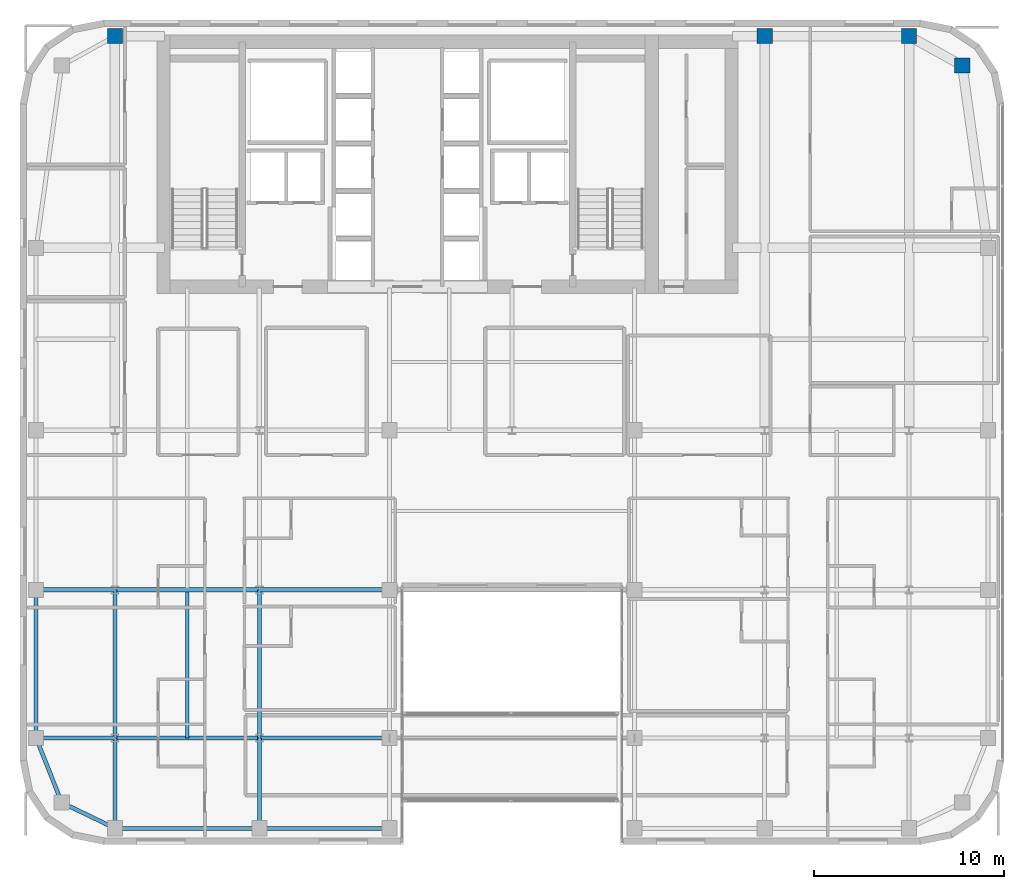
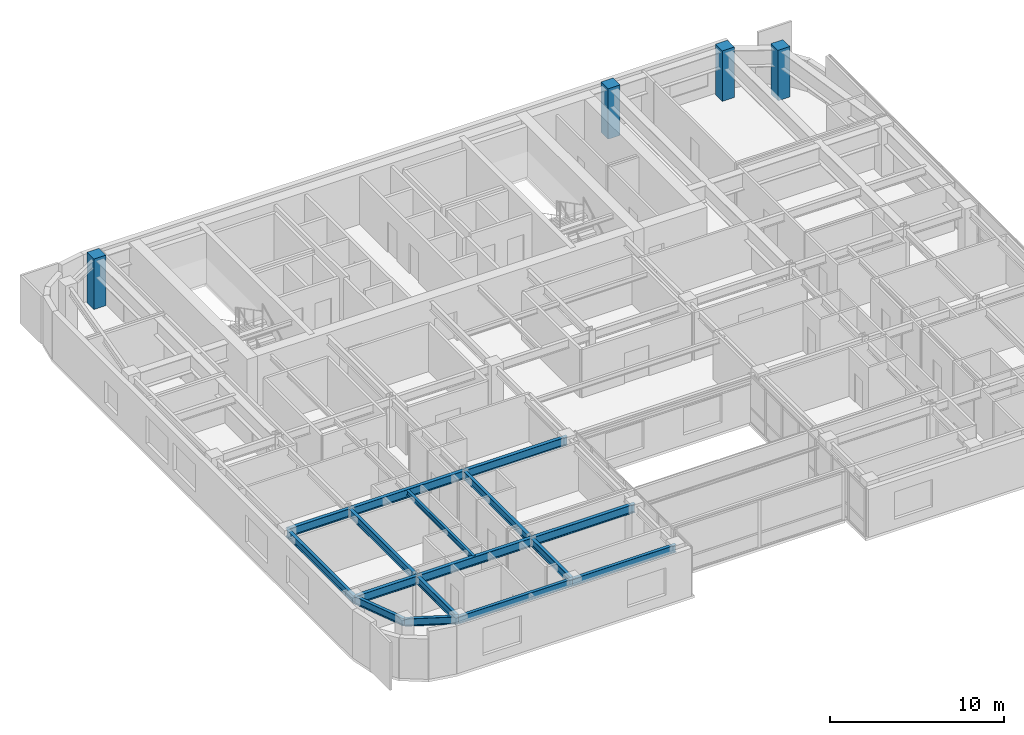
# One storey, part 2 of 20: 16 beams, 4 columns.
"""IFC4 building model written with IfcOpenShell, lengths in metres."""

from ifc_helpers import new_model, si_unit, direction, frame, origin, origin_2d, place, context, subcontext, project, spatial, rectangle, i_section, extrude, source, transform, mapped, material, material_profile, profile_set, type_object, type_shapes, element, save


model = new_model("IFC4")

# Units and contexts
model_context = context("Model", 3, precision=1e-05, world=origin(), true_north=direction((0.0, 1.0)))
body_context = subcontext(model_context, "Body", "Model", "MODEL_VIEW")
ifc_project = project(units=[si_unit("LENGTHUNIT", "METRE"), si_unit("AREAUNIT", "SQUARE_METRE"), si_unit("VOLUMEUNIT", "CUBIC_METRE"), si_unit("PLANEANGLEUNIT", "RADIAN"), si_unit("MASSUNIT", "GRAM", prefix="KILO")], contexts=[model_context])

# Site, building, storey
site_placement = place(None, origin())
site = spatial("IfcSite", under=ifc_project, at=site_placement, CompositionType="ELEMENT")
building_placement = place(site_placement, origin())
building = spatial("IfcBuilding", under=site, at=building_placement, Name="Tolvann Quenvar Hotel", CompositionType="ELEMENT")
storey_placement = place(building_placement, frame((0.0, 0.0, 171.89990234375)))
storey = spatial("IfcBuildingStorey", under=building, at=storey_placement, Name="L45", CompositionType="ELEMENT", Elevation=171.89990234375)

# Columns
ifc_material_1 = material(Name="Concrete N50 (50 MPa)", Category="concrete")
ifc_material_profile_1 = material_profile(ifc_material_1, rectangle(XDim=0.800048828125, YDim=0.800048828125, at=origin_2d()), Name="RC800x800")
ifc_profile_set_1 = profile_set([ifc_material_profile_1], Name="Concrete N50 (50 MPa)")
column_type = type_object("IfcColumnType", Name="COL_RC800", PredefinedType="COLUMN", material=ifc_profile_set_1)
shared_shape_1 = source(origin(), body_context, "Body", "SweptSolid", [
    extrude(rectangle(XDim=0.800048828125, YDim=0.800048828125, at=origin_2d()), origin(), (0.0, 0.0, 1.0), 3.550048828125),
])
type_shapes(column_type, [shared_shape_1])
for number, where, z_axis, x_axis, name in (
    (1, (7.60009765625, 45.14990234375, 0.0), (0.0, 0.0, 1.0), (1.0, 0.0, 0.0), "Column CN (L45)"),
    (2, (41.800048828125, 45.14990234375, 0.0), (0.0, 0.0, 1.0), (1.0, 0.0, 0.0), "Column HN (L45)"),
    (3, (49.39990234375, 45.14990234375, 0.0), (0.0, 0.0, 1.0), (1.0, 0.0, 0.0), "Column IN (L45)"),
    (4, (52.199951171875, 43.60009765625, 0.0), (0.0, 0.0, 1.0), (1.0, 0.0, 0.0), "Column JN (L45)"),
):
    element("IfcColumn", number, at=place(storey_placement, frame(where, z_axis=z_axis, x_axis=x_axis)), inside=storey, type_object=column_type, Name=name, PredefinedType="COLUMN", context=body_context, shape_type="MappedRepresentation", body=[
        mapped(shared_shape_1, transform((0.0, 0.0, 0.0), x_axis=(1.0, 0.0, 0.0), y_axis=(0.0, 1.0, 0.0), z_axis=(0.0, 0.0, 1.0), scale=1.0)),
    ])

# Beams
ifc_material_2 = material(Name="Steel Grade 350", Category="steel")
ifc_material_profile_2 = material_profile(ifc_material_2, i_section(OverallWidth=0.208984375, OverallDepth=0.528076171875, WebThickness=0.009521484375, FlangeThickness=0.01318359375, FilletRadius=0.013916015625, at=origin_2d()), Name="530UB82")
ifc_profile_set_2 = profile_set([ifc_material_profile_2], Name="Steel Grade 350")
beam_type_1 = type_object("IfcBeamType", Name="BM_SPAND_530UB82", PredefinedType="SPANDREL", material=ifc_profile_set_2)
shared_shape_2 = source(origin(), body_context, "Body", "SweptSolid", [
    extrude(i_section(OverallWidth=0.208984375, OverallDepth=0.528076171875, WebThickness=0.009521484375, FlangeThickness=0.01318359375, FilletRadius=0.013916015625, at=origin_2d()), origin(), (0.0, 0.0, 1.0), 7.599853515625),
])
beam_1_placement = place(storey_placement, frame((7.60009765625, 3.449951171875, 3.106201171875), z_axis=(1.0, 0.0, 0.0), x_axis=(0.0, 1.0, 0.0)))
element("IfcBeam", 5, at=beam_1_placement, inside=storey, type_object=beam_type_1, Name="BM-L45-EW-2-C2-D2", PredefinedType="SPANDREL", context=body_context, shape_type="MappedRepresentation", body=[
    mapped(shared_shape_2, transform((0.0, 0.0, 0.0), x_axis=(1.0, 0.0, 0.0), y_axis=(0.0, 1.0, 0.0), z_axis=(0.0, 0.0, 1.0), scale=1.0)),
])
shared_shape_3 = source(origin(), body_context, "Body", "SweptSolid", [
    extrude(i_section(OverallWidth=0.208984375, OverallDepth=0.528076171875, WebThickness=0.009521484375, FlangeThickness=0.01318359375, FilletRadius=0.013916015625, at=origin_2d()), origin(), (0.0, 0.0, 1.0), 6.85009765625),
])
beam_2_placement = place(storey_placement, frame((15.199951171875, 3.449951171875, 3.106201171875), z_axis=(1.0, 0.0, 0.0), x_axis=(0.0, 1.0, 0.0)))
element("IfcBeam", 6, at=beam_2_placement, inside=storey, type_object=beam_type_1, Name="BM-L45-EW-2-D2-E2", PredefinedType="SPANDREL", context=body_context, shape_type="MappedRepresentation", body=[
    mapped(shared_shape_3, transform((0.0, 0.0, 0.0), x_axis=(1.0, 0.0, 0.0), y_axis=(0.0, 1.0, 0.0), z_axis=(0.0, 0.0, 1.0), scale=1.0)),
])
shared_shape_4 = source(origin(), body_context, "Body", "SweptSolid", [
    extrude(i_section(OverallWidth=0.208984375, OverallDepth=0.528076171875, WebThickness=0.009521484375, FlangeThickness=0.01318359375, FilletRadius=0.013916015625, at=origin_2d()), origin(), (0.0, 0.0, 1.0), 7.800048828125),
])
beam_3_placement = place(storey_placement, frame((3.449951171875, 8.199951171875, 3.106201171875), z_axis=(0.0, 1.0, 0.0), x_axis=(-1.0, 0.0, 0.0)))
element("IfcBeam", 7, at=beam_3_placement, inside=storey, type_object=beam_type_1, Name="BM-L45-NS-B3-B4", PredefinedType="SPANDREL", context=body_context, shape_type="MappedRepresentation", body=[
    mapped(shared_shape_4, transform((0.0, 0.0, 0.0), x_axis=(1.0, 0.0, 0.0), y_axis=(0.0, 1.0, 0.0), z_axis=(0.0, 0.0, 1.0), scale=1.0)),
])
ifc_material_profile_3 = material_profile(ifc_material_2, i_section(OverallWidth=0.208984375, OverallDepth=0.532958984375, WebThickness=0.01025390625, FlangeThickness=0.015625, FilletRadius=0.013916015625, at=origin_2d()), Name="530UB92")
ifc_profile_set_3 = profile_set([ifc_material_profile_3], Name="Steel Grade 350")
beam_type_2 = type_object("IfcBeamType", Name="BM_GIRD_530UB92", PredefinedType="BEAM", material=ifc_profile_set_3)
shared_shape_5 = source(origin(), body_context, "Body", "SweptSolid", [
    extrude(i_section(OverallWidth=0.208984375, OverallDepth=0.532958984375, WebThickness=0.01025390625, FlangeThickness=0.015625, FilletRadius=0.013916015625, at=origin_2d()), origin(), (0.0, 0.0, 1.0), 7.800048828125),
])
for number, where, z_axis, x_axis, name in (
    (8, (7.60009765625, 8.199951171875, 3.103515625), (0.0, 1.0, 0.0), (-1.0, 0.0, 0.0), "BM-L45-NS-C3-C4"),
    (9, (15.199951171875, 8.199951171875, 3.103515625), (0.0, 1.0, 0.0), (-1.0, 0.0, 0.0), "BM-L45-NS-D3-D4"),
):
    element("IfcBeam", number, at=place(storey_placement, frame(where, z_axis=z_axis, x_axis=x_axis)), inside=storey, type_object=beam_type_2, Name=name, PredefinedType="BEAM", context=body_context, shape_type="MappedRepresentation", body=[
        mapped(shared_shape_5, transform((0.0, 0.0, 0.0), x_axis=(1.0, 0.0, 0.0), y_axis=(0.0, 1.0, 0.0), z_axis=(0.0, 0.0, 1.0), scale=1.0)),
    ])
shared_shape_6 = source(origin(), body_context, "Body", "SweptSolid", [
    extrude(i_section(OverallWidth=0.208984375, OverallDepth=0.528076171875, WebThickness=0.009521484375, FlangeThickness=0.01318359375, FilletRadius=0.013916015625, at=origin_2d()), origin(), (0.0, 0.0, 1.0), 3.108642578125),
])
beam_4_placement = place(storey_placement, frame((4.800048828125, 4.800048828125, 3.106201171875), z_axis=(0.900759354066, -0.434318530646, 0.0), x_axis=(0.434318530646, 0.900759354066, 0.0)))
element("IfcBeam", 10, at=beam_4_placement, inside=storey, type_object=beam_type_1, Name="BM-L45-EW-2-B2-C2", PredefinedType="SPANDREL", context=body_context, shape_type="MappedRepresentation", body=[
    mapped(shared_shape_6, transform((0.0, 0.0, 0.0), x_axis=(1.0, 0.0, 0.0), y_axis=(0.0, 1.0, 0.0), z_axis=(0.0, 0.0, 1.0), scale=1.0)),
])
ifc_material_profile_4 = material_profile(ifc_material_2, i_section(OverallWidth=0.22802734375, OverallDepth=0.60205078125, WebThickness=0.010498046875, FlangeThickness=0.014892578125, FilletRadius=0.013916015625, at=origin_2d()), Name="610UB101")
ifc_profile_set_4 = profile_set([ifc_material_profile_4], Name="Steel Grade 350")
beam_type_3 = type_object("IfcBeamType", Name="BM_GIRD_610UB101", PredefinedType="BEAM", material=ifc_profile_set_4)
shared_shape_7 = source(origin(), body_context, "Body", "SweptSolid", [
    extrude(i_section(OverallWidth=0.22802734375, OverallDepth=0.60205078125, WebThickness=0.010498046875, FlangeThickness=0.014892578125, FilletRadius=0.013916015625, at=origin_2d()), origin(), (0.0, 0.0, 1.0), 4.150146484375),
])
for number, where, z_axis, x_axis, name in (
    (11, (3.449951171875, 8.199951171875, 3.069091796875), (1.0, 0.0, 0.0), (0.0, 1.0, 0.0), "BM-L45-EW-3-B3-C3"),
    (12, (3.449951171875, 16.0, 3.069091796875), (1.0, 0.0, 0.0), (0.0, 1.0, 0.0), "BM-L45-EW-4-B4-C4"),
):
    element("IfcBeam", number, at=place(storey_placement, frame(where, z_axis=z_axis, x_axis=x_axis)), inside=storey, type_object=beam_type_3, Name=name, PredefinedType="BEAM", context=body_context, shape_type="MappedRepresentation", body=[
        mapped(shared_shape_7, transform((0.0, 0.0, 0.0), x_axis=(1.0, 0.0, 0.0), y_axis=(0.0, 1.0, 0.0), z_axis=(0.0, 0.0, 1.0), scale=1.0)),
    ])
shared_shape_8 = source(origin(), body_context, "Body", "SweptSolid", [
    extrude(i_section(OverallWidth=0.22802734375, OverallDepth=0.60205078125, WebThickness=0.010498046875, FlangeThickness=0.014892578125, FilletRadius=0.013916015625, at=origin_2d()), origin(), (0.0, 0.0, 1.0), 7.599853515625),
])
for number, where, z_axis, x_axis, name in (
    (13, (7.60009765625, 8.199951171875, 3.069091796875), (1.0, 0.0, 0.0), (0.0, 1.0, 0.0), "BM-L45-EW-3-C3-D3"),
    (14, (7.60009765625, 16.0, 3.069091796875), (1.0, 0.0, 0.0), (0.0, 1.0, 0.0), "BM-L45-EW-4-C4-D4"),
):
    element("IfcBeam", number, at=place(storey_placement, frame(where, z_axis=z_axis, x_axis=x_axis)), inside=storey, type_object=beam_type_3, Name=name, PredefinedType="BEAM", context=body_context, shape_type="MappedRepresentation", body=[
        mapped(shared_shape_8, transform((0.0, 0.0, 0.0), x_axis=(1.0, 0.0, 0.0), y_axis=(0.0, 1.0, 0.0), z_axis=(0.0, 0.0, 1.0), scale=1.0)),
    ])
shared_shape_9 = source(origin(), body_context, "Body", "SweptSolid", [
    extrude(i_section(OverallWidth=0.22802734375, OverallDepth=0.60205078125, WebThickness=0.010498046875, FlangeThickness=0.014892578125, FilletRadius=0.013916015625, at=origin_2d()), origin(), (0.0, 0.0, 1.0), 6.85009765625),
])
type_shapes(beam_type_3, [shared_shape_7, shared_shape_8, shared_shape_9])
for number, where, z_axis, x_axis, name in (
    (15, (15.199951171875, 8.199951171875, 3.069091796875), (1.0, 0.0, 0.0), (0.0, 1.0, 0.0), "BM-L45-EW-3-D3-E3"),
    (16, (15.199951171875, 16.0, 3.069091796875), (1.0, 0.0, 0.0), (0.0, 1.0, 0.0), "BM-L45-EW-4-D4-E4"),
):
    element("IfcBeam", number, at=place(storey_placement, frame(where, z_axis=z_axis, x_axis=x_axis)), inside=storey, type_object=beam_type_3, Name=name, PredefinedType="BEAM", context=body_context, shape_type="MappedRepresentation", body=[
        mapped(shared_shape_9, transform((0.0, 0.0, 0.0), x_axis=(1.0, 0.0, 0.0), y_axis=(0.0, 1.0, 0.0), z_axis=(0.0, 0.0, 1.0), scale=1.0)),
    ])
shared_shape_10 = source(origin(), body_context, "Body", "SweptSolid", [
    extrude(i_section(OverallWidth=0.208984375, OverallDepth=0.528076171875, WebThickness=0.009521484375, FlangeThickness=0.01318359375, FilletRadius=0.013916015625, at=origin_2d()), origin(), (0.0, 0.0, 1.0), 3.658203125),
])
type_shapes(beam_type_1, [shared_shape_2, shared_shape_3, shared_shape_4, shared_shape_6, shared_shape_10])
beam_5_placement = place(storey_placement, frame((4.800048828125, 4.800048828125, 3.106201171875), z_axis=(-0.369065163807, 0.929403521009, 0.0), x_axis=(-0.929403521009, -0.369065163807, 0.0)))
element("IfcBeam", 17, at=beam_5_placement, inside=storey, type_object=beam_type_1, Name="BM-L45-NS-B2-B3", PredefinedType="SPANDREL", context=body_context, shape_type="MappedRepresentation", body=[
    mapped(shared_shape_10, transform((0.0, 0.0, 0.0), x_axis=(1.0, 0.0, 0.0), y_axis=(0.0, 1.0, 0.0), z_axis=(0.0, 0.0, 1.0), scale=1.0)),
])
shared_shape_11 = source(origin(), body_context, "Body", "SweptSolid", [
    extrude(i_section(OverallWidth=0.208984375, OverallDepth=0.532958984375, WebThickness=0.01025390625, FlangeThickness=0.015625, FilletRadius=0.013916015625, at=origin_2d()), origin(), (0.0, 0.0, 1.0), 4.75),
])
type_shapes(beam_type_2, [shared_shape_5, shared_shape_11])
for number, where, z_axis, x_axis, name in (
    (18, (7.60009765625, 3.449951171875, 3.103515625), (0.0, 1.0, 0.0), (-1.0, 0.0, 0.0), "BM-L45-NS-C2-C3"),
    (19, (15.199951171875, 3.449951171875, 3.103515625), (0.0, 1.0, 0.0), (-1.0, 0.0, 0.0), "BM-L45-NS-D2-D3"),
):
    element("IfcBeam", number, at=place(storey_placement, frame(where, z_axis=z_axis, x_axis=x_axis)), inside=storey, type_object=beam_type_2, Name=name, PredefinedType="BEAM", context=body_context, shape_type="MappedRepresentation", body=[
        mapped(shared_shape_11, transform((0.0, 0.0, 0.0), x_axis=(1.0, 0.0, 0.0), y_axis=(0.0, 1.0, 0.0), z_axis=(0.0, 0.0, 1.0), scale=1.0)),
    ])
ifc_material_profile_5 = material_profile(ifc_material_2, i_section(OverallWidth=0.172119140625, OverallDepth=0.35888671875, WebThickness=0.008056640625, FlangeThickness=0.012939453125, FilletRadius=0.011474609375, at=origin_2d()), Name="360UB57")
ifc_profile_set_5 = profile_set([ifc_material_profile_5], Name="Steel Grade 350")
beam_type_4 = type_object("IfcBeamType", Name="BM_JOIST_360UB57", PredefinedType="JOIST", material=ifc_profile_set_5)
shared_shape_12 = source(origin(), body_context, "Body", "SweptSolid", [
    extrude(i_section(OverallWidth=0.172119140625, OverallDepth=0.35888671875, WebThickness=0.008056640625, FlangeThickness=0.012939453125, FilletRadius=0.011474609375, at=origin_2d()), origin(), (0.0, 0.0, 1.0), 7.692138671875),
])
type_shapes(beam_type_4, [shared_shape_12])
beam_6_placement = place(storey_placement, frame((11.39990234375, 8.199951171875, 3.190673828125), z_axis=(0.0, 1.0, 0.0), x_axis=(-1.0, 0.0, 0.0)))
element("IfcBeam", 20, at=beam_6_placement, inside=storey, type_object=beam_type_4, Name="BJ-L45-114-82", PredefinedType="JOIST", context=body_context, shape_type="MappedRepresentation", body=[
    mapped(shared_shape_12, transform((0.0, 0.0, 0.0), x_axis=(1.0, 0.0, 0.0), y_axis=(0.0, 1.0, 0.0), z_axis=(0.0, 0.0, 1.0), scale=1.0)),
])

save(model, "model.ifc")
